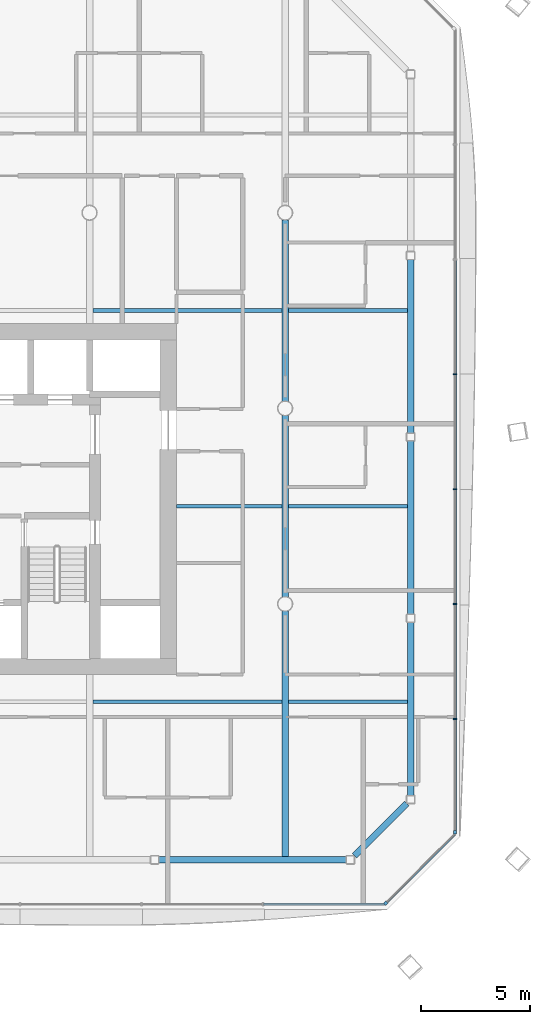
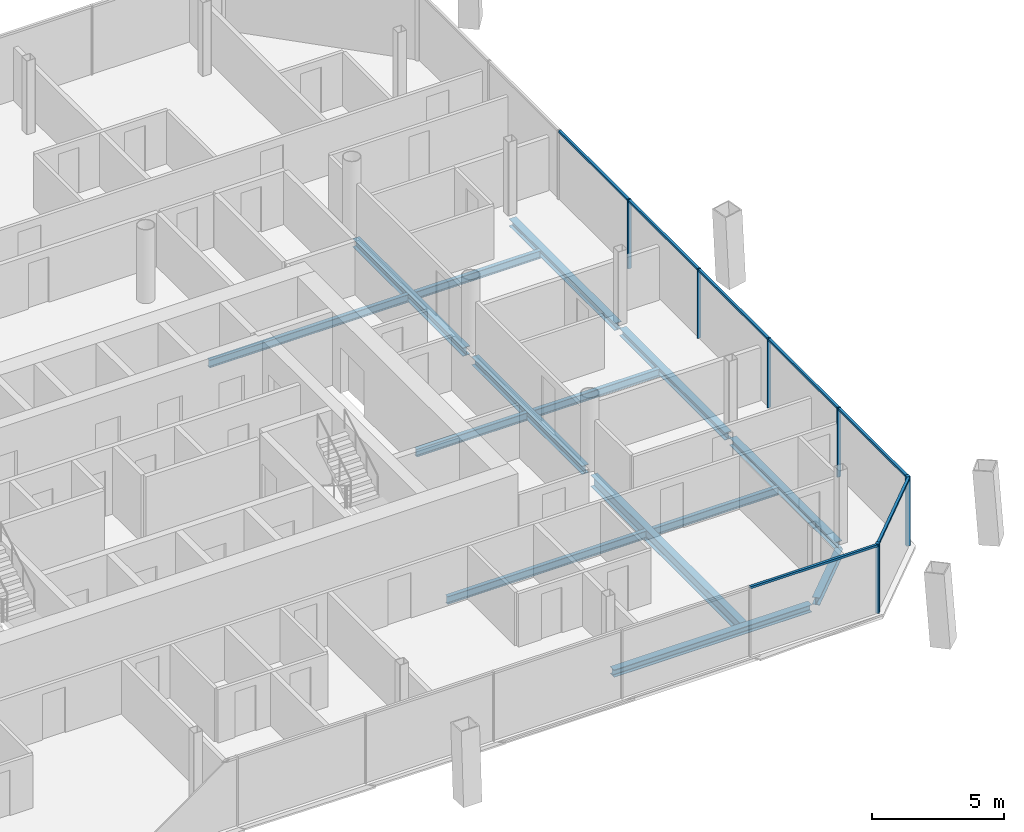
# One storey, part 7 of 21: 14 beams, 13 members, 3 elements without a shape of their own.
"""IFC4 building model written with IfcOpenShell, lengths in metres."""

from ifc_helpers import new_model, si_unit, direction, frame, origin, origin_2d, place, context, subcontext, project, spatial, rectangle, i_section, extrude, material, material_profile, profile_set, type_object, element, aggregate, save


model = new_model("IFC4")

# Units and contexts
model_context = context("Model", 3, precision=1e-05, world=origin(), true_north=direction((0.0, 1.0)))
body_context = subcontext(model_context, "Body", "Model", "MODEL_VIEW")
ifc_project = project(units=[si_unit("LENGTHUNIT", "METRE"), si_unit("AREAUNIT", "SQUARE_METRE"), si_unit("VOLUMEUNIT", "CUBIC_METRE"), si_unit("PLANEANGLEUNIT", "RADIAN"), si_unit("MASSUNIT", "GRAM", prefix="KILO")], contexts=[model_context])

# Site, building, storey
site_placement = place(None, origin())
site = spatial("IfcSite", under=ifc_project, at=site_placement, CompositionType="ELEMENT")
building_placement = place(site_placement, origin())
building = spatial("IfcBuilding", under=site, at=building_placement, Name="Tskaro Facet Tower", CompositionType="ELEMENT")
storey_placement = place(building_placement, frame((0.0, 0.0, 135.10009765625)))
storey = spatial("IfcBuildingStorey", under=building, at=storey_placement, Name="L32", CompositionType="ELEMENT", Elevation=135.10009765625)

# Curtain wall, member
ifc_material_1 = material(Name="Bronze anodised aluminium 6063-T6", Category="aluminium")
curtain_wall_type = type_object("IfcCurtainWallType", Name="Bronze hotel curtain wall (FW2)", PredefinedType="NOTDEFINED", material=ifc_material_1)
curtain_wall_1_placement = place(storey_placement, origin())
curtain_wall_1 = element("IfcCurtainWall", 1, at=curtain_wall_1_placement, inside=storey, type_object=curtain_wall_type, Name="FW2 south-east facet L32", PredefinedType="NOTDEFINED")
ifc_material_profile_1 = material_profile(ifc_material_1, rectangle(XDim=0.14990234375, YDim=0.14990234375, at=origin_2d()), Name="Corner post 150x150")
ifc_profile_set_1 = profile_set([ifc_material_profile_1], Name="Bronze anodised aluminium 6063-T6")
member_type_1 = type_object("IfcMemberType", Name="FW2 bronze corner post 150x150", PredefinedType="MULLION", material=ifc_profile_set_1)
member_1_placement = place(storey_placement, frame((22.626953125, -22.766845703125, 0.0), z_axis=(0.0, 0.0, 1.0), x_axis=(0.707106781187, 0.707106781187, 0.0)))
member_1 = element("IfcMember", 2, at=member_1_placement, type_object=member_type_1, Name="FW2 south-east corner post", PredefinedType="MULLION", context=body_context, shape_type="SweptSolid", body=[
    extrude(rectangle(XDim=0.14990234375, YDim=0.14990234375, at=origin_2d()), origin(), (0.0, 0.0, 1.0), 3.199951171875),
])

# Curtain wall, members
curtain_wall_2_placement = place(storey_placement, origin())
curtain_wall_2 = element("IfcCurtainWall", 3, at=curtain_wall_2_placement, inside=storey, type_object=curtain_wall_type, Name="FW2 east facet L32", PredefinedType="NOTDEFINED")
member_2_placement = place(storey_placement, frame((25.820068359375, -19.4990234375, 0.0), z_axis=(0.0, 0.0, 1.0), x_axis=(0.0, 1.0, 0.0)))
member_2 = element("IfcMember", 4, at=member_2_placement, type_object=member_type_1, Name="FW2 east corner post", PredefinedType="MULLION", context=body_context, shape_type="SweptSolid", body=[
    extrude(rectangle(XDim=0.14990234375, YDim=0.14990234375, at=origin_2d()), origin(), (0.0, 0.0, 1.0), 3.199951171875),
])
ifc_material_profile_2 = material_profile(ifc_material_1, rectangle(XDim=0.06005859375, YDim=0.14990234375, at=origin_2d()), Name="Mullion 60x150")
ifc_profile_set_2 = profile_set([ifc_material_profile_2], Name="Bronze anodised aluminium 6063-T6")
member_type_2 = type_object("IfcMemberType", Name="FW2 bronze mullion 60x150", PredefinedType="MULLION", material=ifc_profile_set_2)
member_3_placement = place(storey_placement, frame((25.820068359375, -14.288818359375, 0.0), z_axis=(0.0, 0.0, 1.0), x_axis=(0.0, 1.0, 0.0)))
member_3 = element("IfcMember", 5, at=member_3_placement, type_object=member_type_2, Name="FW2 east mullion 1", PredefinedType="MULLION", context=body_context, shape_type="SweptSolid", body=[
    extrude(rectangle(XDim=0.06005859375, YDim=0.14990234375, at=origin_2d()), origin(), (0.0, 0.0, 1.0), 3.199951171875),
])
member_4_placement = place(storey_placement, frame((25.820068359375, -9.003662109375, 0.0), z_axis=(0.0, 0.0, 1.0), x_axis=(0.0, 1.0, 0.0)))
member_4 = element("IfcMember", 6, at=member_4_placement, type_object=member_type_2, Name="FW2 east mullion 2", PredefinedType="MULLION", context=body_context, shape_type="SweptSolid", body=[
    extrude(rectangle(XDim=0.06005859375, YDim=0.14990234375, at=origin_2d()), origin(), (0.0, 0.0, 1.0), 3.199951171875),
])
member_5_placement = place(storey_placement, frame((25.820068359375, -3.718505859375, 0.0), z_axis=(0.0, 0.0, 1.0), x_axis=(0.0, 1.0, 0.0)))
member_5 = element("IfcMember", 7, at=member_5_placement, type_object=member_type_2, Name="FW2 east mullion 3", PredefinedType="MULLION", context=body_context, shape_type="SweptSolid", body=[
    extrude(rectangle(XDim=0.06005859375, YDim=0.14990234375, at=origin_2d()), origin(), (0.0, 0.0, 1.0), 3.199951171875),
])
member_6_placement = place(storey_placement, frame((25.820068359375, 1.566650390625, 0.0), z_axis=(0.0, 0.0, 1.0), x_axis=(0.0, 1.0, 0.0)))
member_6 = element("IfcMember", 8, at=member_6_placement, type_object=member_type_2, Name="FW2 east mullion 4", PredefinedType="MULLION", context=body_context, shape_type="SweptSolid", body=[
    extrude(rectangle(XDim=0.06005859375, YDim=0.14990234375, at=origin_2d()), origin(), (0.0, 0.0, 1.0), 3.199951171875),
])

# Curtain wall, member
curtain_wall_3_placement = place(storey_placement, origin())
curtain_wall_3 = element("IfcCurtainWall", 9, at=curtain_wall_3_placement, inside=storey, type_object=curtain_wall_type, Name="FW2 south facet L32", PredefinedType="NOTDEFINED")
ifc_material_profile_3 = material_profile(ifc_material_1, rectangle(XDim=0.110107421875, YDim=0.10009765625, at=origin_2d()), Name="Transom 110x100")
ifc_profile_set_3 = profile_set([ifc_material_profile_3], Name="Bronze anodised aluminium 6063-T6")
member_type_3 = type_object("IfcMemberType", Name="FW2 bronze transom 110x100", PredefinedType="USERDEFINED", material=ifc_profile_set_3)
member_7_placement = place(storey_placement, frame((17.011474609375, -22.820068359375, 3.14990234375), z_axis=(1.0, 0.0, 0.0), x_axis=(0.0, 1.0, 0.0)))
member_7 = element("IfcMember", 10, at=member_7_placement, type_object=member_type_3, Name="FW2 south transom 7.1", ObjectType="TRANSOM", PredefinedType="USERDEFINED", context=body_context, shape_type="SweptSolid", body=[
    extrude(rectangle(XDim=0.110107421875, YDim=0.10009765625, at=origin_2d()), origin(), (0.0, 0.0, 1.0), 5.5625),
])
aggregate(curtain_wall_3, [member_7])

# Member
member_8_placement = place(storey_placement, frame((22.68017578125, -22.7138671875, 3.14990234375), z_axis=(0.707106781187, 0.707106781187, 0.0), x_axis=(-0.707106781187, 0.707106781187, 0.0)))
member_8 = element("IfcMember", 11, at=member_8_placement, type_object=member_type_3, Name="FW2 south-east transom 1.1", ObjectType="TRANSOM", PredefinedType="USERDEFINED", context=body_context, shape_type="SweptSolid", body=[
    extrude(rectangle(XDim=0.110107421875, YDim=0.10009765625, at=origin_2d()), origin(), (0.0, 0.0, 1.0), 4.4404296875),
])

aggregate(curtain_wall_1, [member_1, member_8])

member_9_placement = place(storey_placement, frame((25.820068359375, -19.424072265625, 3.14990234375), z_axis=(0.0, 1.0, 0.0), x_axis=(-1.0, 0.0, 0.0)))
member_9 = element("IfcMember", 12, at=member_9_placement, type_object=member_type_3, Name="FW2 east transom 1.1", ObjectType="TRANSOM", PredefinedType="USERDEFINED", context=body_context, shape_type="SweptSolid", body=[
    extrude(rectangle(XDim=0.110107421875, YDim=0.10009765625, at=origin_2d()), origin(), (0.0, 0.0, 1.0), 5.105224609375),
])

member_10_placement = place(storey_placement, frame((25.820068359375, -14.2587890625, 3.14990234375), z_axis=(0.0, 1.0, 0.0), x_axis=(-1.0, 0.0, 0.0)))
member_10 = element("IfcMember", 13, at=member_10_placement, type_object=member_type_3, Name="FW2 east transom 2.1", ObjectType="TRANSOM", PredefinedType="USERDEFINED", context=body_context, shape_type="SweptSolid", body=[
    extrude(rectangle(XDim=0.110107421875, YDim=0.10009765625, at=origin_2d()), origin(), (0.0, 0.0, 1.0), 5.22509765625),
])

member_11_placement = place(storey_placement, frame((25.820068359375, -8.9736328125, 3.14990234375), z_axis=(0.0, 1.0, 0.0), x_axis=(-1.0, 0.0, 0.0)))
member_11 = element("IfcMember", 14, at=member_11_placement, type_object=member_type_3, Name="FW2 east transom 3.1", ObjectType="TRANSOM", PredefinedType="USERDEFINED", context=body_context, shape_type="SweptSolid", body=[
    extrude(rectangle(XDim=0.110107421875, YDim=0.10009765625, at=origin_2d()), origin(), (0.0, 0.0, 1.0), 5.22509765625),
])

member_12_placement = place(storey_placement, frame((25.820068359375, -3.6884765625, 3.14990234375), z_axis=(0.0, 1.0, 0.0), x_axis=(-1.0, 0.0, 0.0)))
member_12 = element("IfcMember", 15, at=member_12_placement, type_object=member_type_3, Name="FW2 east transom 4.1", ObjectType="TRANSOM", PredefinedType="USERDEFINED", context=body_context, shape_type="SweptSolid", body=[
    extrude(rectangle(XDim=0.110107421875, YDim=0.10009765625, at=origin_2d()), origin(), (0.0, 0.0, 1.0), 5.22509765625),
])

member_13_placement = place(storey_placement, frame((25.820068359375, 1.5966796875, 3.14990234375), z_axis=(0.0, 1.0, 0.0), x_axis=(-1.0, 0.0, 0.0)))
member_13 = element("IfcMember", 16, at=member_13_placement, type_object=member_type_3, Name="FW2 east transom 5.1", ObjectType="TRANSOM", PredefinedType="USERDEFINED", context=body_context, shape_type="SweptSolid", body=[
    extrude(rectangle(XDim=0.110107421875, YDim=0.10009765625, at=origin_2d()), origin(), (0.0, 0.0, 1.0), 5.22509765625),
])

aggregate(curtain_wall_2, [member_2, member_3, member_4, member_5, member_6, member_9, member_10, member_11, member_12, member_13])

# Beams
ifc_material_2 = material(Name="Steel S355J2", Category="steel")
ifc_material_profile_4 = material_profile(ifc_material_2, i_section(OverallWidth=0.300048828125, OverallDepth=0.340087890625, WebThickness=0.011962890625, FlangeThickness=0.021484375, FilletRadius=0.027099609375, at=origin_2d()), Name="HE 340 B")
ifc_profile_set_4 = profile_set([ifc_material_profile_4], Name="Steel S355J2")
beam_type_1 = type_object("IfcBeamType", Name="HE 340 B ring beam", PredefinedType="BEAM", material=ifc_profile_set_4)
beam_1_placement = place(storey_placement, frame((12.179931640625, -20.77392578125, -0.31005859375), z_axis=(1.0, 0.0, 0.0), x_axis=(0.0, 1.0, 0.0)))
element("IfcBeam", 17, at=beam_1_placement, inside=storey, type_object=beam_type_1, Name="HE 340 B EB4-3", PredefinedType="BEAM", context=body_context, shape_type="SweptSolid", body=[
    extrude(i_section(OverallWidth=0.300048828125, OverallDepth=0.340087890625, WebThickness=0.011962890625, FlangeThickness=0.021484375, FilletRadius=0.027099609375, at=origin_2d()), origin(), (0.0, 0.0, 1.0), 8.63916015625),
])
beam_2_placement = place(storey_placement, frame((21.184814453125, -20.588134765625, -0.31005859375), z_axis=(0.707106781187, 0.707106781187, 0.0), x_axis=(-0.707106781187, 0.707106781187, 0.0)))
element("IfcBeam", 18, at=beam_2_placement, inside=storey, type_object=beam_type_1, Name="HE 340 B EB5-3", PredefinedType="BEAM", context=body_context, shape_type="SweptSolid", body=[
    extrude(i_section(OverallWidth=0.300048828125, OverallDepth=0.340087890625, WebThickness=0.011962890625, FlangeThickness=0.021484375, FilletRadius=0.027099609375, at=origin_2d()), origin(), (0.0, 0.0, 1.0), 3.39892578125),
])
beam_3_placement = place(storey_placement, frame((23.77392578125, -17.819091796875, -0.31005859375), z_axis=(0.0, 1.0, 0.0), x_axis=(-1.0, 0.0, 0.0)))
element("IfcBeam", 19, at=beam_3_placement, inside=storey, type_object=beam_type_1, Name="HE 340 B EB6-3", PredefinedType="BEAM", context=body_context, shape_type="SweptSolid", body=[
    extrude(i_section(OverallWidth=0.300048828125, OverallDepth=0.340087890625, WebThickness=0.011962890625, FlangeThickness=0.021484375, FilletRadius=0.027099609375, at=origin_2d()), origin(), (0.0, 0.0, 1.0), 7.982177734375),
])
beam_4_placement = place(storey_placement, frame((23.77392578125, -9.47705078125, -0.31005859375), z_axis=(0.0, 1.0, 0.0), x_axis=(-1.0, 0.0, 0.0)))
element("IfcBeam", 20, at=beam_4_placement, inside=storey, type_object=beam_type_1, Name="HE 340 B EB7-3", PredefinedType="BEAM", context=body_context, shape_type="SweptSolid", body=[
    extrude(i_section(OverallWidth=0.300048828125, OverallDepth=0.340087890625, WebThickness=0.011962890625, FlangeThickness=0.021484375, FilletRadius=0.027099609375, at=origin_2d()), origin(), (0.0, 0.0, 1.0), 7.98095703125),
])
beam_5_placement = place(storey_placement, frame((23.77392578125, -1.135986328125, -0.31005859375), z_axis=(0.0, 1.0, 0.0), x_axis=(-1.0, 0.0, 0.0)))
element("IfcBeam", 21, at=beam_5_placement, inside=storey, type_object=beam_type_1, Name="HE 340 B EB8-3", PredefinedType="BEAM", context=body_context, shape_type="SweptSolid", body=[
    extrude(i_section(OverallWidth=0.300048828125, OverallDepth=0.340087890625, WebThickness=0.011962890625, FlangeThickness=0.021484375, FilletRadius=0.027099609375, at=origin_2d()), origin(), (0.0, 0.0, 1.0), 7.98193359375),
])
ifc_material_profile_5 = material_profile(ifc_material_2, i_section(OverallWidth=0.300048828125, OverallDepth=0.389892578125, WebThickness=0.010986328125, FlangeThickness=0.01904296875, FilletRadius=0.027099609375, at=origin_2d()), Name="HE 400 A")
ifc_profile_set_5 = profile_set([ifc_material_profile_5], Name="Steel S355J2")
beam_type_2 = type_object("IfcBeamType", Name="HE 400 A girder", PredefinedType="BEAM", material=ifc_profile_set_5)
for number, where, z_axis, x_axis, name in (
    (22, (18.0, -8.674560546875, -0.335205078125), (0.0, 1.0, 0.0), (-1.0, 0.0, 0.0), "HE 400 A GB6-2-3"),
    (23, (18.0, 0.325439453125, -0.335205078125), (0.0, 1.0, 0.0), (-1.0, 0.0, 0.0), "HE 400 A GB6-3-3"),
):
    element("IfcBeam", number, at=place(storey_placement, frame(where, z_axis=z_axis, x_axis=x_axis)), inside=storey, type_object=beam_type_2, Name=name, PredefinedType="BEAM", context=body_context, shape_type="SweptSolid", body=[
        extrude(i_section(OverallWidth=0.300048828125, OverallDepth=0.389892578125, WebThickness=0.010986328125, FlangeThickness=0.01904296875, FilletRadius=0.027099609375, at=origin_2d()), origin(), (0.0, 0.0, 1.0), 8.34912109375),
    ])
ifc_material_profile_6 = material_profile(ifc_material_2, i_section(OverallWidth=0.300048828125, OverallDepth=0.5400390625, WebThickness=0.012451171875, FlangeThickness=0.02392578125, FilletRadius=0.027099609375, at=origin_2d()), Name="HE 550 A")
ifc_profile_set_6 = profile_set([ifc_material_profile_6], Name="Steel S355J2")
beam_type_3 = type_object("IfcBeamType", Name="HE 550 A long girder", PredefinedType="BEAM", material=ifc_profile_set_6)
beam_6_placement = place(storey_placement, frame((18.0, -20.6240234375, -0.41015625), z_axis=(0.0, 1.0, 0.0), x_axis=(-1.0, 0.0, 0.0)))
element("IfcBeam", 24, at=beam_6_placement, inside=storey, type_object=beam_type_3, Name="HE 550 A LGB6-1-3", PredefinedType="BEAM", context=body_context, shape_type="SweptSolid", body=[
    extrude(i_section(OverallWidth=0.300048828125, OverallDepth=0.5400390625, WebThickness=0.012451171875, FlangeThickness=0.02392578125, FilletRadius=0.027099609375, at=origin_2d()), origin(), (0.0, 0.0, 1.0), 11.298583984375),
])
ifc_material_profile_7 = material_profile(ifc_material_2, i_section(OverallWidth=0.169921875, OverallDepth=0.360107421875, WebThickness=0.008056640625, FlangeThickness=0.0126953125, FilletRadius=0.01806640625, at=origin_2d()), Name="IPE 360")
ifc_profile_set_7 = profile_set([ifc_material_profile_7], Name="Steel S355J2")
beam_type_4 = type_object("IfcBeamType", Name="IPE 360 secondary beam", PredefinedType="BEAM", material=ifc_profile_set_7)
beam_7_placement = place(storey_placement, frame((9.14990234375, -13.5, -0.320068359375), z_axis=(1.0, 0.0, 0.0), x_axis=(0.0, 1.0, 0.0)))
element("IfcBeam", 25, at=beam_7_placement, inside=storey, type_object=beam_type_4, Name="IPE 360 SB2a-4-3", PredefinedType="BEAM", context=body_context, shape_type="SweptSolid", body=[
    extrude(i_section(OverallWidth=0.169921875, OverallDepth=0.360107421875, WebThickness=0.008056640625, FlangeThickness=0.0126953125, FilletRadius=0.01806640625, at=origin_2d()), origin(), (0.0, 0.0, 1.0), 8.7001953125),
])
beam_8_placement = place(storey_placement, frame((18.14990234375, -13.5, -0.320068359375), z_axis=(1.0, 0.0, 0.0), x_axis=(0.0, 1.0, 0.0)))
element("IfcBeam", 26, at=beam_8_placement, inside=storey, type_object=beam_type_4, Name="IPE 360 SB2a-5-3", PredefinedType="BEAM", context=body_context, shape_type="SweptSolid", body=[
    extrude(i_section(OverallWidth=0.169921875, OverallDepth=0.360107421875, WebThickness=0.008056640625, FlangeThickness=0.0126953125, FilletRadius=0.01806640625, at=origin_2d()), origin(), (0.0, 0.0, 1.0), 5.47412109375),
])
beam_9_placement = place(storey_placement, frame((13.0, -4.5, -0.320068359375), z_axis=(1.0, 0.0, 0.0), x_axis=(0.0, 1.0, 0.0)))
element("IfcBeam", 27, at=beam_9_placement, inside=storey, type_object=beam_type_4, Name="IPE 360 SB3a-2-3", PredefinedType="BEAM", context=body_context, shape_type="SweptSolid", body=[
    extrude(i_section(OverallWidth=0.169921875, OverallDepth=0.360107421875, WebThickness=0.008056640625, FlangeThickness=0.0126953125, FilletRadius=0.01806640625, at=origin_2d()), origin(), (0.0, 0.0, 1.0), 4.85009765625),
])
beam_10_placement = place(storey_placement, frame((18.14990234375, -4.5, -0.320068359375), z_axis=(1.0, 0.0, 0.0), x_axis=(0.0, 1.0, 0.0)))
element("IfcBeam", 28, at=beam_10_placement, inside=storey, type_object=beam_type_4, Name="IPE 360 SB3a-3-3", PredefinedType="BEAM", context=body_context, shape_type="SweptSolid", body=[
    extrude(i_section(OverallWidth=0.169921875, OverallDepth=0.360107421875, WebThickness=0.008056640625, FlangeThickness=0.0126953125, FilletRadius=0.01806640625, at=origin_2d()), origin(), (0.0, 0.0, 1.0), 5.47412109375),
])
beam_11_placement = place(storey_placement, frame((9.14990234375, 4.5, -0.320068359375), z_axis=(1.0, 0.0, 0.0), x_axis=(0.0, 1.0, 0.0)))
element("IfcBeam", 29, at=beam_11_placement, inside=storey, type_object=beam_type_4, Name="IPE 360 SB4a-4-3", PredefinedType="BEAM", context=body_context, shape_type="SweptSolid", body=[
    extrude(i_section(OverallWidth=0.169921875, OverallDepth=0.360107421875, WebThickness=0.008056640625, FlangeThickness=0.0126953125, FilletRadius=0.01806640625, at=origin_2d()), origin(), (0.0, 0.0, 1.0), 8.7001953125),
])
beam_12_placement = place(storey_placement, frame((18.14990234375, 4.5, -0.320068359375), z_axis=(1.0, 0.0, 0.0), x_axis=(0.0, 1.0, 0.0)))
element("IfcBeam", 30, at=beam_12_placement, inside=storey, type_object=beam_type_4, Name="IPE 360 SB4a-5-3", PredefinedType="BEAM", context=body_context, shape_type="SweptSolid", body=[
    extrude(i_section(OverallWidth=0.169921875, OverallDepth=0.360107421875, WebThickness=0.008056640625, FlangeThickness=0.0126953125, FilletRadius=0.01806640625, at=origin_2d()), origin(), (0.0, 0.0, 1.0), 5.47412109375),
])

save(model, "model.ifc")
